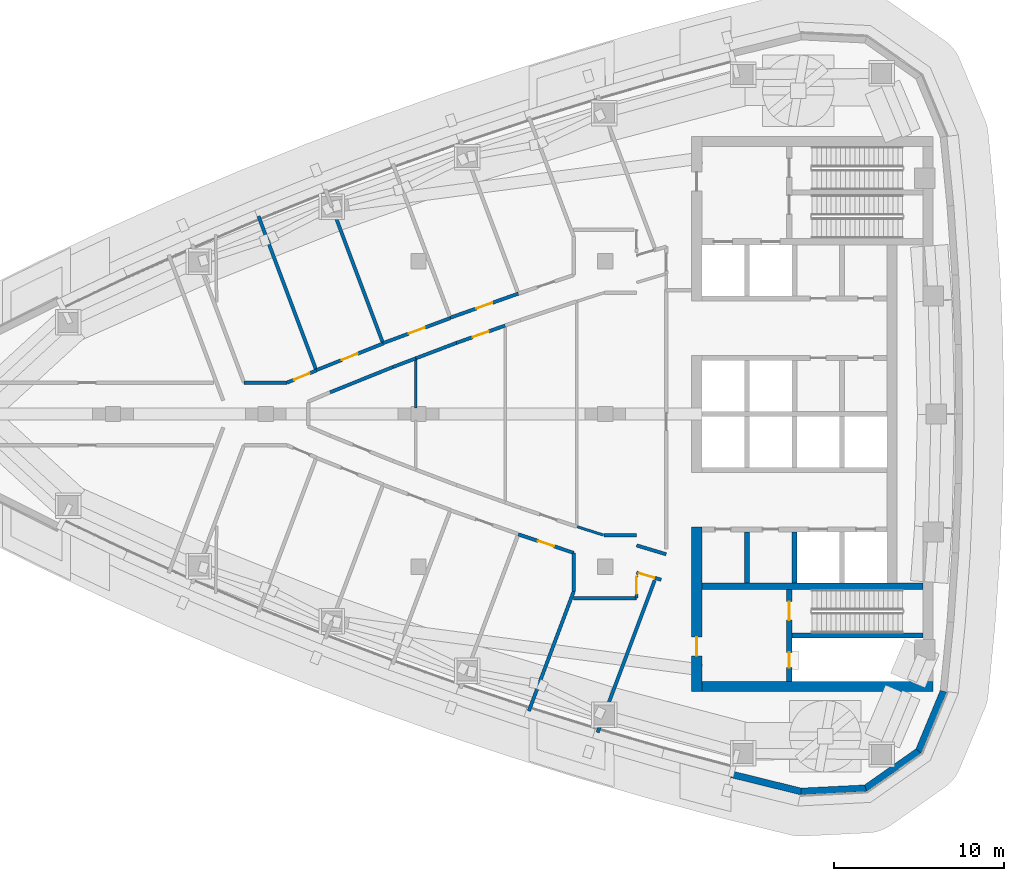
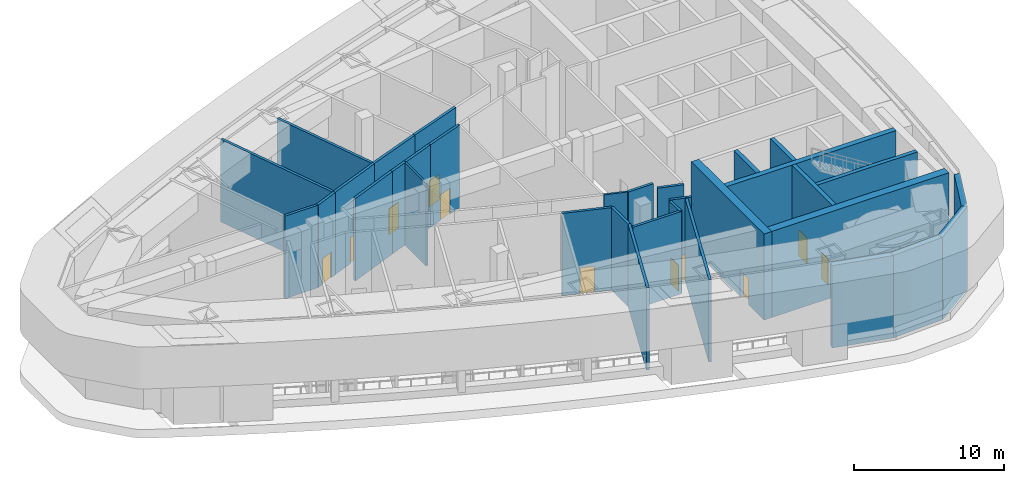
# One storey, part 3 of 12: 34 walls, 11 doors, 11 openings.
"""IFC4 building model written with IfcOpenShell, lengths in metres."""

from ifc_helpers import new_model, si_unit, direction, frame, frame_2d, origin, place, context, subcontext, project, spatial, polyline, rectangle, outline, extrude, material, layer, layer_set, type_object, element, fill, save


model = new_model("IFC4")

# Units and contexts
model_context = context("Model", 3, precision=1e-05, world=origin(), true_north=direction((0.0, 1.0)))
body_context = subcontext(model_context, "Body", "Model", "MODEL_VIEW")
ifc_project = project(units=[si_unit("LENGTHUNIT", "METRE"), si_unit("AREAUNIT", "SQUARE_METRE"), si_unit("VOLUMEUNIT", "CUBIC_METRE"), si_unit("PLANEANGLEUNIT", "RADIAN"), si_unit("MASSUNIT", "GRAM", prefix="KILO")], contexts=[model_context])

# Site, building, storey
site_placement = place(None, origin())
site = spatial("IfcSite", under=ifc_project, at=site_placement, CompositionType="ELEMENT")
building_placement = place(site_placement, origin())
building = spatial("IfcBuilding", under=site, at=building_placement, Name="Ostrand Prow Hotel Tower", CompositionType="ELEMENT")
storey_placement = place(building_placement, frame((0.0, 0.0, 256.300048828125)))
storey = spatial("IfcBuildingStorey", under=building, at=storey_placement, Name="L65", CompositionType="ELEMENT", Elevation=256.300048828125)

# Walls
ifc_material_1 = material(Name="Concrete C50/60", Category="concrete")
ifc_layer_1 = layer(ifc_material_1, 0.300048828125)
ifc_layer_set_1 = layer_set([ifc_layer_1], Name="Concrete C50/60")
wall_type_1 = type_object("IfcWallType", Name="Core wall 300 C50/60", PredefinedType="SHEAR", material=ifc_layer_set_1)
for number, where, z_axis, x_axis, name in (
    (1, (53.35009765625, -9.949951171875, 0.0), (0.0, 0.0, 1.0), (0.0, 1.0, 0.0), "Core wall PW-R1-SA"),
    (2, (56.14990234375, -9.949951171875, 0.0), (0.0, 0.0, 1.0), (0.0, 1.0, 0.0), "Core wall PW-R2-SA"),
):
    element("IfcWall", number, at=place(storey_placement, frame(where, z_axis=z_axis, x_axis=x_axis)), inside=storey, type_object=wall_type_1, Name=name, PredefinedType="SHEAR", context=body_context, shape_type="SweptSolid", body=[
        extrude(rectangle(XDim=3.0, YDim=0.300048828125, at=frame_2d((1.5, 0.0))), origin(), (0.0, 0.0, 1.0), 7.0),
    ])

# Wall, openings, doors
wall_1_placement = place(storey_placement, frame((55.85009765625, -15.75, 0.0), z_axis=(0.0, 0.0, 1.0), x_axis=(0.0, 1.0, 0.0)))
wall_1 = element("IfcWall", 3, at=wall_1_placement, inside=storey, type_object=wall_type_1, Name="Core wall PW-VS", PredefinedType="SHEAR", context=body_context, shape_type="SweptSolid", body=[
    extrude(rectangle(XDim=5.39990234375, YDim=0.300048828125, at=frame_2d((2.699951171875, 0.0))), origin(), (0.0, 0.0, 1.0), 7.0),
])
opening_1_placement = place(wall_1_placement, frame((3.60009765625, 0.0, 0.0)))
opening_1 = element("IfcOpeningElement", 4, at=opening_1_placement, cuts=wall_1, Name="Opening FD1", PredefinedType="OPENING", context=body_context, shape_type="SweptSolid", body=[
    extrude(rectangle(XDim=1.10009765625, YDim=2.10009765625, at=frame_2d((0.550048828125, 1.050048828125))), frame((0.0, 0.159912109375, 0.0), z_axis=(0.0, -1.0, 0.0), x_axis=(1.0, 0.0, 0.0)), (0.0, 0.0, 1.0), 0.320068359375),
])
opening_2_placement = place(wall_1_placement, frame((0.800048828125, 0.0, 0.0)))
opening_2 = element("IfcOpeningElement", 5, at=opening_2_placement, cuts=wall_1, Name="Opening FD2", PredefinedType="OPENING", context=body_context, shape_type="SweptSolid", body=[
    extrude(rectangle(XDim=0.89990234375, YDim=2.10009765625, at=frame_2d((0.449951171875, 1.050048828125))), frame((0.0, 0.159912109375, 0.0), z_axis=(0.0, -1.0, 0.0), x_axis=(1.0, 0.0, 0.0)), (0.0, 0.0, 1.0), 0.320068359375),
])
ifc_material_2 = material(Name="Steel fire door", Category="steel")
door_type_1 = type_object("IfcDoorType", Name="Fire door 1100 EI120", OperationType="SINGLE_SWING_RIGHT", PredefinedType="DOOR", material=ifc_material_2)
door_1_placement = place(opening_1_placement, origin())
door_1 = element("IfcDoor", 6, at=door_1_placement, inside=storey, type_object=door_type_1, Name="FIRE DOOR", OperationType="SINGLE_SWING_RIGHT", OverallHeight=2.10009765625, OverallWidth=1.10009765625, PredefinedType="DOOR", context=body_context, shape_type="SweptSolid", body=[
    extrude(rectangle(XDim=1.10009765625, YDim=2.10009765625, at=frame_2d((0.550048828125, 1.050048828125))), frame((0.0, 0.02490234375, 0.0), z_axis=(0.0, -1.0, 0.0), x_axis=(1.0, 0.0, 0.0)), (0.0, 0.0, 1.0), 0.050048828125),
])
fill(opening_1, door_1)
ifc_material_3 = material(Name="Steel fire door", Category="steel")
door_type_2 = type_object("IfcDoorType", Name="Fire door 900 EI120", OperationType="SINGLE_SWING_LEFT", PredefinedType="DOOR", material=ifc_material_3)
door_2_placement = place(opening_2_placement, origin())
door_2 = element("IfcDoor", 7, at=door_2_placement, inside=storey, type_object=door_type_2, Name="FIRE DOOR", OperationType="SINGLE_SWING_LEFT", OverallHeight=2.10009765625, OverallWidth=0.89990234375, PredefinedType="DOOR", context=body_context, shape_type="SweptSolid", body=[
    extrude(rectangle(XDim=0.89990234375, YDim=2.10009765625, at=frame_2d((0.449951171875, 1.050048828125))), frame((0.0, 0.02490234375, 0.0), z_axis=(0.0, -1.0, 0.0), x_axis=(1.0, 0.0, 0.0)), (0.0, 0.0, 1.0), 0.050048828125),
])
fill(opening_2, door_2)

# Walls
wall_2_placement = place(storey_placement, frame((56.0, -13.050048828125, 0.0), z_axis=(0.0, 0.0, 1.0), x_axis=(1.0, 0.0, 0.0)))
element("IfcWall", 8, at=wall_2_placement, inside=storey, type_object=wall_type_1, Name="Core wall PW-ST2R", PredefinedType="SHEAR", context=body_context, shape_type="SweptSolid", body=[
    extrude(rectangle(XDim=7.719970703125, YDim=0.300048828125, at=frame_2d((3.85986328125, 0.0))), origin(), (0.0, 0.0, 1.0), 7.0),
])
ifc_material_4 = material(Name="Concrete C50/60", Category="concrete")
ifc_layer_2 = layer(ifc_material_4, 0.39990234375)
ifc_layer_set_2 = layer_set([ifc_layer_2], Name="Concrete C50/60")
wall_type_2 = type_object("IfcWallType", Name="Core wall 400 C50/60", PredefinedType="SHEAR", material=ifc_layer_set_2)
wall_3_placement = place(storey_placement, frame((50.699951171875, -10.14990234375, 0.0), z_axis=(0.0, 0.0, 1.0), x_axis=(1.0, 0.0, 0.0)))
element("IfcWall", 9, at=wall_3_placement, inside=storey, type_object=wall_type_2, Name="Core wall PW-BS", PredefinedType="SHEAR", context=body_context, shape_type="SweptSolid", body=[
    extrude(rectangle(XDim=13.02001953125, YDim=0.39990234375, at=frame_2d((6.510009765625, 0.0))), origin(), (0.0, 0.0, 1.0), 7.0),
])

# Wall, opening, door
ifc_material_5 = material(Name="Concrete C50/60", Category="concrete")
ifc_layer_3 = layer(ifc_material_5, 0.60009765625)
ifc_layer_set_3 = layer_set([ifc_layer_3], Name="Concrete C50/60")
wall_type_3 = type_object("IfcWallType", Name="Core wall 600 C50/60", PredefinedType="SHEAR", material=ifc_layer_set_3)
wall_4_placement = place(storey_placement, frame((50.39990234375, -16.35009765625, 0.0), z_axis=(0.0, 0.0, 1.0), x_axis=(0.0, 1.0, 0.0)))
wall_4 = element("IfcWall", 10, at=wall_4_placement, inside=storey, type_object=wall_type_3, Name="Core wall CW-W-S", PredefinedType="SHEAR", context=body_context, shape_type="SweptSolid", body=[
    extrude(rectangle(XDim=9.7001953125, YDim=0.60009765625, at=frame_2d((4.85009765625, 0.0))), origin(), (0.0, 0.0, 1.0), 7.0),
])
opening_3_placement = place(wall_4_placement, frame((2.10009765625, 0.0, 0.0)))
opening_3 = element("IfcOpeningElement", 11, at=opening_3_placement, cuts=wall_4, Name="Opening FD1", PredefinedType="OPENING", context=body_context, shape_type="SweptSolid", body=[
    extrude(rectangle(XDim=1.10009765625, YDim=2.10009765625, at=frame_2d((0.550048828125, 1.050048828125))), frame((0.0, 0.31005859375, 0.0), z_axis=(0.0, -1.0, 0.0), x_axis=(1.0, 0.0, 0.0)), (0.0, 0.0, 1.0), 0.6201171875),
])
door_3_placement = place(opening_3_placement, origin())
door_3 = element("IfcDoor", 12, at=door_3_placement, inside=storey, type_object=door_type_1, Name="FIRE DOOR", OperationType="SINGLE_SWING_RIGHT", OverallHeight=2.10009765625, OverallWidth=1.10009765625, PredefinedType="DOOR", context=body_context, shape_type="SweptSolid", body=[
    extrude(rectangle(XDim=1.10009765625, YDim=2.10009765625, at=frame_2d((0.550048828125, 1.050048828125))), frame((0.0, 0.02490234375, 0.0), z_axis=(0.0, -1.0, 0.0), x_axis=(1.0, 0.0, 0.0)), (0.0, 0.0, 1.0), 0.050048828125),
])
fill(opening_3, door_3)

# Walls
wall_5_placement = place(storey_placement, frame((50.699951171875, -16.050048828125, 0.0), z_axis=(0.0, 0.0, 1.0), x_axis=(1.0, 0.0, 0.0)))
element("IfcWall", 13, at=wall_5_placement, inside=storey, type_object=wall_type_3, Name="Core wall CW-S", PredefinedType="SHEAR", context=body_context, shape_type="SweptSolid", body=[
    extrude(rectangle(XDim=13.6201171875, YDim=0.60009765625, at=frame_2d((6.81005859375, 0.0))), origin(), (0.0, 0.0, 1.0), 7.0),
])
ifc_material_6 = material(Name="Plasterboard partition")
ifc_layer_4 = layer(ifc_material_6, 0.14990234375)
ifc_layer_set_4 = layer_set([ifc_layer_4], Name="Plasterboard partition")
wall_type_4 = type_object("IfcWallType", Name="Partition 150 room partition", PredefinedType="PARTITIONING", material=ifc_layer_set_4)
wall_6_placement = place(storey_placement, frame((33.830078125, 0.35009765625, 0.0), z_axis=(0.0, 0.0, 1.0), x_axis=(0.0, 1.0, 0.0)))
element("IfcWall", 14, at=wall_6_placement, inside=storey, type_object=wall_type_4, Name="ROOM PARTITION", PredefinedType="PARTITIONING", context=body_context, shape_type="SweptSolid", body=[
    extrude(rectangle(XDim=2.92236328125, YDim=0.14990234375, at=frame_2d((1.461181640625, 0.0))), origin(), (0.0, 0.0, 1.0), 6.699951171875),
])
wall_7_placement = place(storey_placement, frame((44.8955078125, -7.1328125, 0.0), z_axis=(0.0, 0.0, 1.0), x_axis=(-0.952953711994, 0.303115857052, 0.0)))
element("IfcWall", 15, at=wall_7_placement, inside=storey, type_object=wall_type_4, Name="ROOM PARTITION", PredefinedType="PARTITIONING", context=body_context, shape_type="SweptSolid", body=[
    extrude(rectangle(XDim=1.60693359375, YDim=0.14990234375, at=frame_2d((0.803466796875, 0.0))), origin(), (0.0, 0.0, 1.0), 6.699951171875),
])

# Wall, opening, door
ifc_material_7 = material(Name="Plasterboard partition")
ifc_layer_5 = layer(ifc_material_7, 0.199951171875)
ifc_layer_set_5 = layer_set([ifc_layer_5], Name="Plasterboard partition")
wall_type_5 = type_object("IfcWallType", Name="Partition 200 corridor wall", PredefinedType="PARTITIONING", material=ifc_layer_set_5)
wall_8_placement = place(storey_placement, frame((26.265869140625, 1.85009765625, 0.0), z_axis=(0.0, 0.0, 1.0), x_axis=(0.924055156704, 0.382259162569, 0.0)))
wall_8 = element("IfcWall", 16, at=wall_8_placement, inside=storey, type_object=wall_type_5, Name="CORRIDOR WALL", PredefinedType="PARTITIONING", context=body_context, shape_type="SweptSolid", body=[
    extrude(rectangle(XDim=1.8623046875, YDim=0.199951171875, at=frame_2d((0.93115234375, 0.0))), origin(), (0.0, 0.0, 1.0), 6.699951171875),
])
opening_4_placement = place(wall_8_placement, frame((0.43115234375, 0.0, 0.0)))
opening_4 = element("IfcOpeningElement", 17, at=opening_4_placement, cuts=wall_8, Name="Opening D1", PredefinedType="OPENING", context=body_context, shape_type="SweptSolid", body=[
    extrude(rectangle(XDim=1.0, YDim=2.10009765625, at=frame_2d((0.5, 1.050048828125))), frame((0.0, 0.10986328125, 0.0), z_axis=(0.0, -1.0, 0.0), x_axis=(1.0, 0.0, 0.0)), (0.0, 0.0, 1.0), 0.219970703125),
])
ifc_material_8 = material(Name="Timber door leaf", Category="wood")
door_type_3 = type_object("IfcDoorType", Name="Guest room door 1000", OperationType="SINGLE_SWING_LEFT", PredefinedType="DOOR", material=ifc_material_8)
door_4_placement = place(opening_4_placement, origin())
door_4 = element("IfcDoor", 18, at=door_4_placement, inside=storey, type_object=door_type_3, Name="DOOR", OperationType="SINGLE_SWING_LEFT", OverallHeight=2.10009765625, OverallWidth=1.0, PredefinedType="DOOR", context=body_context, shape_type="SweptSolid", body=[
    extrude(rectangle(XDim=1.0, YDim=2.10009765625, at=frame_2d((0.5, 1.050048828125))), frame((0.0, 0.02490234375, 0.0), z_axis=(0.0, -1.0, 0.0), x_axis=(1.0, 0.0, 0.0)), (0.0, 0.0, 1.0), 0.050048828125),
])
fill(opening_4, door_4)

wall_9_placement = place(storey_placement, frame((27.979736328125, 2.58056640625, 0.0), z_axis=(0.0, 0.0, 1.0), x_axis=(0.928920552813, 0.370279092795, 0.0)))
wall_9 = element("IfcWall", 19, at=wall_9_placement, inside=storey, type_object=wall_type_5, Name="CORRIDOR WALL", PredefinedType="PARTITIONING", context=body_context, shape_type="SweptSolid", body=[
    extrude(rectangle(XDim=4.2421875, YDim=0.199951171875, at=frame_2d((2.12109375, 0.0))), origin(), (0.0, 0.0, 1.0), 6.699951171875),
])
opening_5_placement = place(wall_9_placement, frame((1.62109375, 0.0, 0.0)))
opening_5 = element("IfcOpeningElement", 20, at=opening_5_placement, cuts=wall_9, Name="Opening D1R", PredefinedType="OPENING", context=body_context, shape_type="SweptSolid", body=[
    extrude(rectangle(XDim=1.0, YDim=2.10009765625, at=frame_2d((0.5, 1.050048828125))), frame((0.0, 0.10986328125, 0.0), z_axis=(0.0, -1.0, 0.0), x_axis=(1.0, 0.0, 0.0)), (0.0, 0.0, 1.0), 0.219970703125),
])
ifc_material_9 = material(Name="Timber door leaf", Category="wood")
door_type_4 = type_object("IfcDoorType", Name="Guest room door 1000 right", OperationType="SINGLE_SWING_RIGHT", PredefinedType="DOOR", material=ifc_material_9)
door_5_placement = place(opening_5_placement, origin())
door_5 = element("IfcDoor", 21, at=door_5_placement, inside=storey, type_object=door_type_4, Name="DOOR", OperationType="SINGLE_SWING_RIGHT", OverallHeight=2.10009765625, OverallWidth=1.0, PredefinedType="DOOR", context=body_context, shape_type="SweptSolid", body=[
    extrude(rectangle(XDim=1.0, YDim=2.10009765625, at=frame_2d((0.5, 1.050048828125))), frame((0.0, 0.02490234375, 0.0), z_axis=(0.0, -1.0, 0.0), x_axis=(1.0, 0.0, 0.0)), (0.0, 0.0, 1.0), 0.050048828125),
])
fill(opening_5, door_5)

wall_10_placement = place(storey_placement, frame((31.913330078125, 4.170166015625, 0.0), z_axis=(0.0, 0.0, 1.0), x_axis=(0.936848300955, 0.349735987565, 0.0)))
wall_10 = element("IfcWall", 22, at=wall_10_placement, inside=storey, type_object=wall_type_5, Name="CORRIDOR WALL", PredefinedType="PARTITIONING", context=body_context, shape_type="SweptSolid", body=[
    extrude(rectangle(XDim=4.24365234375, YDim=0.199951171875, at=frame_2d((2.121826171875, 0.0))), origin(), (0.0, 0.0, 1.0), 6.699951171875),
])
opening_6_placement = place(wall_10_placement, frame((1.621826171875, 0.0, 0.0)))
opening_6 = element("IfcOpeningElement", 23, at=opening_6_placement, cuts=wall_10, Name="Opening D1", PredefinedType="OPENING", context=body_context, shape_type="SweptSolid", body=[
    extrude(rectangle(XDim=1.0, YDim=2.10009765625, at=frame_2d((0.5, 1.050048828125))), frame((0.0, 0.10986328125, 0.0), z_axis=(0.0, -1.0, 0.0), x_axis=(1.0, 0.0, 0.0)), (0.0, 0.0, 1.0), 0.219970703125),
])
door_6_placement = place(opening_6_placement, origin())
door_6 = element("IfcDoor", 24, at=door_6_placement, inside=storey, type_object=door_type_3, Name="DOOR", OperationType="SINGLE_SWING_LEFT", OverallHeight=2.10009765625, OverallWidth=1.0, PredefinedType="DOOR", context=body_context, shape_type="SweptSolid", body=[
    extrude(rectangle(XDim=1.0, YDim=2.10009765625, at=frame_2d((0.5, 1.050048828125))), frame((0.0, 0.02490234375, 0.0), z_axis=(0.0, -1.0, 0.0), x_axis=(1.0, 0.0, 0.0)), (0.0, 0.0, 1.0), 0.050048828125),
])
fill(opening_6, door_6)

wall_11_placement = place(storey_placement, frame((39.88232421875, 7.091064453125, 0.0), z_axis=(0.0, 0.0, 1.0), x_axis=(-0.942537055217, -0.334101630559, 0.0)))
wall_11 = element("IfcWall", 25, at=wall_11_placement, inside=storey, type_object=wall_type_5, Name="CORRIDOR WALL", PredefinedType="PARTITIONING", context=body_context, shape_type="SweptSolid", body=[
    extrude(rectangle(XDim=4.244140625, YDim=0.199951171875, at=frame_2d((2.1220703125, 0.0))), origin(), (0.0, 0.0, 1.0), 6.699951171875),
])
opening_7_placement = place(wall_11_placement, frame((1.622314453125, 0.0, 0.0)))
opening_7 = element("IfcOpeningElement", 26, at=opening_7_placement, cuts=wall_11, Name="Opening D1R", PredefinedType="OPENING", context=body_context, shape_type="SweptSolid", body=[
    extrude(rectangle(XDim=1.0, YDim=2.10009765625, at=frame_2d((0.5, 1.050048828125))), frame((0.0, 0.10986328125, 0.0), z_axis=(0.0, -1.0, 0.0), x_axis=(1.0, 0.0, 0.0)), (0.0, 0.0, 1.0), 0.219970703125),
])
door_7_placement = place(opening_7_placement, origin())
door_7 = element("IfcDoor", 27, at=door_7_placement, inside=storey, type_object=door_type_4, Name="DOOR", OperationType="SINGLE_SWING_RIGHT", OverallHeight=2.10009765625, OverallWidth=1.0, PredefinedType="DOOR", context=body_context, shape_type="SweptSolid", body=[
    extrude(rectangle(XDim=1.0, YDim=2.10009765625, at=frame_2d((0.5, 1.050048828125))), frame((0.0, 0.02490234375, 0.0), z_axis=(0.0, -1.0, 0.0), x_axis=(1.0, 0.0, 0.0)), (0.0, 0.0, 1.0), 0.050048828125),
])
fill(opening_7, door_7)

wall_12_placement = place(storey_placement, frame((39.88232421875, -7.091064453125, 0.0), z_axis=(0.0, 0.0, 1.0), x_axis=(0.948477584784, -0.316844238013, 0.0)))
wall_12 = element("IfcWall", 28, at=wall_12_placement, inside=storey, type_object=wall_type_5, Name="CORRIDOR WALL", PredefinedType="PARTITIONING", context=body_context, shape_type="SweptSolid", body=[
    extrude(rectangle(XDim=3.445068359375, YDim=0.199951171875, at=frame_2d((1.72265625, 0.0))), origin(), (0.0, 0.0, 1.0), 6.699951171875),
])
opening_8_placement = place(wall_12_placement, frame((1.222412109375, 0.0, 0.0)))
opening_8 = element("IfcOpeningElement", 29, at=opening_8_placement, cuts=wall_12, Name="Opening D1R", PredefinedType="OPENING", context=body_context, shape_type="SweptSolid", body=[
    extrude(rectangle(XDim=1.0, YDim=2.10009765625, at=frame_2d((0.5, 1.050048828125))), frame((0.0, 0.10986328125, 0.0), z_axis=(0.0, -1.0, 0.0), x_axis=(1.0, 0.0, 0.0)), (0.0, 0.0, 1.0), 0.219970703125),
])
door_8_placement = place(opening_8_placement, origin())
door_8 = element("IfcDoor", 30, at=door_8_placement, inside=storey, type_object=door_type_4, Name="DOOR", OperationType="SINGLE_SWING_RIGHT", OverallHeight=2.10009765625, OverallWidth=1.0, PredefinedType="DOOR", context=body_context, shape_type="SweptSolid", body=[
    extrude(rectangle(XDim=1.0, YDim=2.10009765625, at=frame_2d((0.5, 1.050048828125))), frame((0.0, 0.02490234375, 0.0), z_axis=(0.0, -1.0, 0.0), x_axis=(1.0, 0.0, 0.0)), (0.0, 0.0, 1.0), 0.050048828125),
])
fill(opening_8, door_8)

wall_13_placement = place(storey_placement, frame((46.85009765625, -9.340087890625, 0.0), z_axis=(0.0, 0.0, 1.0), x_axis=(0.958867721668, -0.283853293696, 0.0)))
wall_13 = element("IfcWall", 31, at=wall_13_placement, inside=storey, type_object=wall_type_5, Name="CORRIDOR WALL", PredefinedType="PARTITIONING", context=body_context, shape_type="SweptSolid", body=[
    extrude(rectangle(XDim=1.167236328125, YDim=0.199951171875, at=frame_2d((0.58349609375, 0.0))), origin(), (0.0, 0.0, 1.0), 6.699951171875),
])
opening_9_placement = place(wall_13_placement, frame((0.1171875, 0.0, 0.0)))
opening_9 = element("IfcOpeningElement", 32, at=opening_9_placement, cuts=wall_13, Name="Opening D1", PredefinedType="OPENING", context=body_context, shape_type="SweptSolid", body=[
    extrude(rectangle(XDim=1.0, YDim=2.10009765625, at=frame_2d((0.5, 1.050048828125))), frame((0.0, 0.10986328125, 0.0), z_axis=(0.0, -1.0, 0.0), x_axis=(1.0, 0.0, 0.0)), (0.0, 0.0, 1.0), 0.219970703125),
])
door_9_placement = place(opening_9_placement, origin())
door_9 = element("IfcDoor", 33, at=door_9_placement, inside=storey, type_object=door_type_3, Name="DOOR", OperationType="SINGLE_SWING_LEFT", OverallHeight=2.10009765625, OverallWidth=1.0, PredefinedType="DOOR", context=body_context, shape_type="SweptSolid", body=[
    extrude(rectangle(XDim=1.0, YDim=2.10009765625, at=frame_2d((0.5, 1.050048828125))), frame((0.0, 0.02490234375, 0.0), z_axis=(0.0, -1.0, 0.0), x_axis=(1.0, 0.0, 0.0)), (0.0, 0.0, 1.0), 0.050048828125),
])
fill(opening_9, door_9)

# Walls
wall_14_placement = place(storey_placement, frame((28.795654296875, 1.276123046875, 0.0), z_axis=(0.0, 0.0, 1.0), x_axis=(0.927622894464, 0.373518092823, 0.0)))
element("IfcWall", 34, at=wall_14_placement, inside=storey, type_object=wall_type_5, Name="CORRIDOR WALL", PredefinedType="PARTITIONING", context=body_context, shape_type="SweptSolid", body=[
    extrude(rectangle(XDim=3.994873046875, YDim=0.199951171875, at=frame_2d((1.99755859375, 0.0))), origin(), (0.0, 0.0, 1.0), 6.699951171875),
])
wall_15_placement = place(storey_placement, frame((32.50146484375, 2.768310546875, 0.0), z_axis=(0.0, 0.0, 1.0), x_axis=(0.934952335593, 0.354773350422, 0.0)))
element("IfcWall", 35, at=wall_15_placement, inside=storey, type_object=wall_type_5, Name="CORRIDOR WALL", PredefinedType="PARTITIONING", context=body_context, shape_type="SweptSolid", body=[
    extrude(rectangle(XDim=1.421142578125, YDim=0.199951171875, at=frame_2d((0.71044921875, 0.0))), origin(), (0.0, 0.0, 1.0), 6.699951171875),
])

# Wall, opening, door
wall_16_placement = place(storey_placement, frame((36.236328125, 4.185546875, 0.0), z_axis=(0.0, 0.0, 1.0), x_axis=(0.941905026751, 0.335879324433, 0.0)))
wall_16 = element("IfcWall", 36, at=wall_16_placement, inside=storey, type_object=wall_type_5, Name="CORRIDOR WALL", PredefinedType="PARTITIONING", context=body_context, shape_type="SweptSolid", body=[
    extrude(rectangle(XDim=3.045654296875, YDim=0.199951171875, at=frame_2d((1.52294921875, 0.0))), origin(), (0.0, 0.0, 1.0), 6.699951171875),
])
opening_10_placement = place(wall_16_placement, frame((1.022705078125, 0.0, 0.0)))
opening_10 = element("IfcOpeningElement", 37, at=opening_10_placement, cuts=wall_16, Name="Opening D1R", PredefinedType="OPENING", context=body_context, shape_type="SweptSolid", body=[
    extrude(rectangle(XDim=1.0, YDim=2.10009765625, at=frame_2d((0.5, 1.050048828125))), frame((0.0, 0.10986328125, 0.0), z_axis=(0.0, -1.0, 0.0), x_axis=(1.0, 0.0, 0.0)), (0.0, 0.0, 1.0), 0.219970703125),
])
door_10_placement = place(opening_10_placement, origin())
door_10 = element("IfcDoor", 38, at=door_10_placement, inside=storey, type_object=door_type_4, Name="DOOR", OperationType="SINGLE_SWING_RIGHT", OverallHeight=2.10009765625, OverallWidth=1.0, PredefinedType="DOOR", context=body_context, shape_type="SweptSolid", body=[
    extrude(rectangle(XDim=1.0, YDim=2.10009765625, at=frame_2d((0.5, 1.050048828125))), frame((0.0, 0.02490234375, 0.0), z_axis=(0.0, -1.0, 0.0), x_axis=(1.0, 0.0, 0.0)), (0.0, 0.0, 1.0), 0.050048828125),
])
fill(opening_10, door_10)

# Walls
wall_17_placement = place(storey_placement, frame((33.830078125, 3.2724609375, 0.0), z_axis=(0.0, 0.0, 1.0), x_axis=(0.934949791539, 0.354780054825, 0.0)))
element("IfcWall", 39, at=wall_17_placement, inside=storey, type_object=wall_type_5, Name="CORRIDOR WALL", PredefinedType="PARTITIONING", context=body_context, shape_type="SweptSolid", body=[
    extrude(rectangle(XDim=2.57373046875, YDim=0.199951171875, at=frame_2d((1.286865234375, 0.0))), origin(), (0.0, 0.0, 1.0), 6.699951171875),
])
wall_18_placement = place(storey_placement, frame((47.96923828125, -9.67138671875, 0.0), z_axis=(0.0, 0.0, 1.0), x_axis=(0.96060909839, -0.277903148759, 0.0)))
element("IfcWall", 40, at=wall_18_placement, inside=storey, type_object=wall_type_5, Name="CORRIDOR WALL", PredefinedType="PARTITIONING", context=body_context, shape_type="SweptSolid", body=[
    extrude(rectangle(XDim=0.344482421875, YDim=0.199951171875, at=frame_2d((0.17236328125, 0.0))), origin(), (0.0, 0.0, 1.0), 6.699951171875),
])
wall_19_placement = place(storey_placement, frame((48.594970703125, -8.264892578125, 0.0), z_axis=(0.0, 0.0, 1.0), x_axis=(-0.958014760688, 0.286718883759, 0.0)))
element("IfcWall", 41, at=wall_19_placement, inside=storey, type_object=wall_type_5, Name="CORRIDOR WALL", PredefinedType="PARTITIONING", context=body_context, shape_type="SweptSolid", body=[
    extrude(rectangle(XDim=1.816162109375, YDim=0.199951171875, at=frame_2d((0.908203125, 0.0))), origin(), (0.0, 0.0, 1.0), 6.699951171875),
])
wall_20_placement = place(storey_placement, frame((46.8515625, -7.145263671875, 0.0), z_axis=(0.0, 0.0, 1.0), x_axis=(-0.999999991898, 0.000127291241, 0.0)))
element("IfcWall", 42, at=wall_20_placement, inside=storey, type_object=wall_type_5, Name="CORRIDOR WALL", PredefinedType="PARTITIONING", context=body_context, shape_type="SweptSolid", body=[
    extrude(rectangle(XDim=1.91796875, YDim=0.199951171875, at=frame_2d((0.958984375, 0.0))), origin(), (0.0, 0.0, 1.0), 6.699951171875),
])
wall_21_placement = place(storey_placement, frame((26.265869140625, 1.85009765625, 0.0), z_axis=(0.0, 0.0, 1.0), x_axis=(-1.0, 0.0, 0.0)))
element("IfcWall", 43, at=wall_21_placement, inside=storey, type_object=wall_type_5, Name="CORRIDOR WALL", PredefinedType="PARTITIONING", context=body_context, shape_type="SweptSolid", body=[
    extrude(rectangle(XDim=2.541748046875, YDim=0.199951171875, at=frame_2d((1.27099609375, 0.0))), origin(), (0.0, 0.0, 1.0), 6.699951171875),
])
wall_22_placement = place(storey_placement, frame((43.14990234375, -8.1826171875, 0.0), z_axis=(0.0, 0.0, 1.0), x_axis=(0.0, -1.0, 0.0)))
element("IfcWall", 44, at=wall_22_placement, inside=storey, type_object=wall_type_5, Name="CORRIDOR WALL", PredefinedType="PARTITIONING", context=body_context, shape_type="SweptSolid", body=[
    extrude(rectangle(XDim=2.267333984375, YDim=0.199951171875, at=frame_2d((1.1337890625, 0.0))), origin(), (0.0, 0.0, 1.0), 6.699951171875),
])

# Wall, opening, door
wall_23_placement = place(storey_placement, frame((46.85107421875, -10.85498046875, 0.0), z_axis=(0.0, 0.0, 1.0), x_axis=(-0.0007315287, 0.999999732433, 0.0)))
wall_23 = element("IfcWall", 45, at=wall_23_placement, inside=storey, type_object=wall_type_5, Name="CORRIDOR WALL", PredefinedType="PARTITIONING", context=body_context, shape_type="SweptSolid", body=[
    extrude(rectangle(XDim=1.3349609375, YDim=0.199951171875, at=frame_2d((0.66748046875, 0.0))), origin(), (0.0, 0.0, 1.0), 6.699951171875),
])
opening_11_placement = place(wall_23_placement, frame((0.257080078125, 0.0, 0.0)))
opening_11 = element("IfcOpeningElement", 46, at=opening_11_placement, cuts=wall_23, Name="Opening D1", PredefinedType="OPENING", context=body_context, shape_type="SweptSolid", body=[
    extrude(rectangle(XDim=1.0, YDim=2.10009765625, at=frame_2d((0.5, 1.050048828125))), frame((0.0, 0.10986328125, 0.0), z_axis=(0.0, -1.0, 0.0), x_axis=(1.0, 0.0, 0.0)), (0.0, 0.0, 1.0), 0.219970703125),
])
door_11_placement = place(opening_11_placement, origin())
door_11 = element("IfcDoor", 47, at=door_11_placement, inside=storey, type_object=door_type_3, Name="DOOR", OperationType="SINGLE_SWING_LEFT", OverallHeight=2.10009765625, OverallWidth=1.0, PredefinedType="DOOR", context=body_context, shape_type="SweptSolid", body=[
    extrude(rectangle(XDim=1.0, YDim=2.10009765625, at=frame_2d((0.5, 1.050048828125))), frame((0.0, 0.02490234375, 0.0), z_axis=(0.0, -1.0, 0.0), x_axis=(1.0, 0.0, 0.0)), (0.0, 0.0, 1.0), 0.050048828125),
])
fill(opening_11, door_11)

# Walls
wall_24_placement = place(storey_placement, frame((43.1494140625, -10.85498046875, 0.0), z_axis=(0.0, 0.0, 1.0), x_axis=(1.0, 0.0, 0.0)))
element("IfcWall", 48, at=wall_24_placement, inside=storey, type_object=wall_type_5, Name="CORRIDOR WALL", PredefinedType="PARTITIONING", context=body_context, shape_type="SweptSolid", body=[
    extrude(rectangle(XDim=3.70166015625, YDim=0.199951171875, at=frame_2d((1.850830078125, 0.0))), origin(), (0.0, 0.0, 1.0), 6.699951171875),
])
ifc_material_10 = material(Name="Plasterboard partition")
ifc_layer_6 = layer(ifc_material_10, 0.199951171875)
ifc_layer_set_6 = layer_set([ifc_layer_6], Name="Plasterboard partition")
wall_type_6 = type_object("IfcWallType", Name="Partition 200 key partition", PredefinedType="PARTITIONING", material=ifc_layer_set_6)
wall_25_placement = place(storey_placement, frame((27.98681640625, 2.56201171875, 0.0), z_axis=(0.0, 0.0, 1.0), x_axis=(-0.351153757858, 0.936317808408, 0.0)))
element("IfcWall", 49, at=wall_25_placement, inside=storey, type_object=wall_type_6, Name="KEY PARTITION", PredefinedType="PARTITIONING", context=body_context, shape_type="SweptSolid", body=[
    extrude(rectangle(XDim=9.707763671875, YDim=0.199951171875, at=frame_2d((4.85400390625, 0.0))), origin(), (0.0, 0.0, 1.0), 6.699951171875),
])
wall_26_placement = place(storey_placement, frame((31.92041015625, 4.1513671875, 0.0), z_axis=(0.0, 0.0, 1.0), x_axis=(-0.351120195515, 0.93633039484, 0.0)))
element("IfcWall", 50, at=wall_26_placement, inside=storey, type_object=wall_type_6, Name="KEY PARTITION", PredefinedType="PARTITIONING", context=body_context, shape_type="SweptSolid", body=[
    extrude(rectangle(XDim=8.242431640625, YDim=0.199951171875, at=frame_2d((4.12109375, 0.0))), origin(), (0.0, 0.0, 1.0), 6.699951171875),
])
wall_27_placement = place(storey_placement, frame((40.505615234375, -17.50146484375, 0.0), z_axis=(0.0, 0.0, 1.0), x_axis=(0.351119888923, 0.936330509811, 0.0)))
element("IfcWall", 51, at=wall_27_placement, inside=storey, type_object=wall_type_6, Name="KEY PARTITION", PredefinedType="PARTITIONING", context=body_context, shape_type="SweptSolid", body=[
    extrude(rectangle(XDim=7.531005859375, YDim=0.199951171875, at=frame_2d((3.765625, 0.0))), origin(), (0.0, 0.0, 1.0), 6.699951171875),
])
wall_28_placement = place(storey_placement, frame((44.560302734375, -18.76171875, 0.0), z_axis=(0.0, 0.0, 1.0), x_axis=(0.351123441588, 0.936329177569, 0.0)))
element("IfcWall", 52, at=wall_28_placement, inside=storey, type_object=wall_type_6, Name="KEY PARTITION", PredefinedType="PARTITIONING", context=body_context, shape_type="SweptSolid", body=[
    extrude(rectangle(XDim=9.568115234375, YDim=0.199951171875, at=frame_2d((4.7841796875, 0.0))), origin(), (0.0, 0.0, 1.0), 6.699951171875),
])
ifc_material_11 = material(Name="Precast concrete C40/50", Category="concrete")
ifc_layer_7 = layer(ifc_material_11, 0.39990234375)
ifc_layer_set_7 = layer_set([ifc_layer_7], Name="Precast concrete C40/50")
wall_type_7 = type_object("IfcWallType", Name="Stone-faced precast wall 400 mm", PredefinedType="NOTDEFINED", material=ifc_layer_set_7)
wall_29_placement = place(storey_placement, frame((52.440673828125, -21.229736328125, 0.0), z_axis=(0.0, 0.0, 1.0), x_axis=(0.970902342456, -0.23947576373, 0.0)))
element("IfcWall", 53, at=wall_29_placement, inside=storey, type_object=wall_type_7, Name="Stone-faced wall back 1", PredefinedType="NOTDEFINED", context=body_context, shape_type="SweptSolid", body=[
    extrude(outline(polyline([(0.0, -0.199951171875), (4.255126953125, -0.199951171875), (4.196533203125, 0.199951171875), (0.0, 0.199951171875), (0.0, -0.199951171875)])), origin(), (0.0, 0.0, 1.0), 6.699951171875),
])
wall_30_placement = place(storey_placement, frame((56.54345703125, -22.24169921875, 0.0), z_axis=(0.0, 0.0, 1.0), x_axis=(0.998758875872, 0.049806705046, 0.0)))
element("IfcWall", 54, at=wall_30_placement, inside=storey, type_object=wall_type_7, Name="Stone-faced wall back 2", PredefinedType="NOTDEFINED", context=body_context, shape_type="SweptSolid", body=[
    extrude(outline(polyline([(-0.029296875, -0.199951171875), (3.871337890625, -0.199951171875), (3.755615234375, 0.199951171875), (0.029296875, 0.199951171875), (-0.029296875, -0.199951171875)])), origin(), (0.0, 0.0, 1.0), 6.699951171875),
])
wall_31_placement = place(storey_placement, frame((60.352294921875, -22.0517578125, 0.0), z_axis=(0.0, 0.0, 1.0), x_axis=(0.817942545532, 0.575299915009, 0.0)))
element("IfcWall", 55, at=wall_31_placement, inside=storey, type_object=wall_type_7, Name="Stone-faced wall back 3", PredefinedType="NOTDEFINED", context=body_context, shape_type="SweptSolid", body=[
    extrude(outline(polyline([(-0.057861328125, -0.199951171875), (3.871337890625, -0.199951171875), (3.755615234375, 0.199951171875), (0.057861328125, 0.199951171875), (-0.057861328125, -0.199951171875)])), origin(), (0.0, 0.0, 1.0), 6.699951171875),
])
wall_32_placement = place(storey_placement, frame((63.471435546875, -19.85791015625, 0.0), z_axis=(0.0, 0.0, 1.0), x_axis=(0.3844335483, 0.923152667191, 0.0)))
element("IfcWall", 56, at=wall_32_placement, inside=storey, type_object=wall_type_7, Name="Stone-faced wall back 4", PredefinedType="NOTDEFINED", context=body_context, shape_type="SweptSolid", body=[
    extrude(outline(polyline([(-0.057861328125, -0.199951171875), (3.84326171875, -0.199951171875), (3.78369140625, 0.199951171875), (0.057861328125, 0.199951171875), (-0.057861328125, -0.199951171875)])), origin(), (0.0, 0.0, 1.0), 6.699951171875),
])

save(model, "model.ifc")
